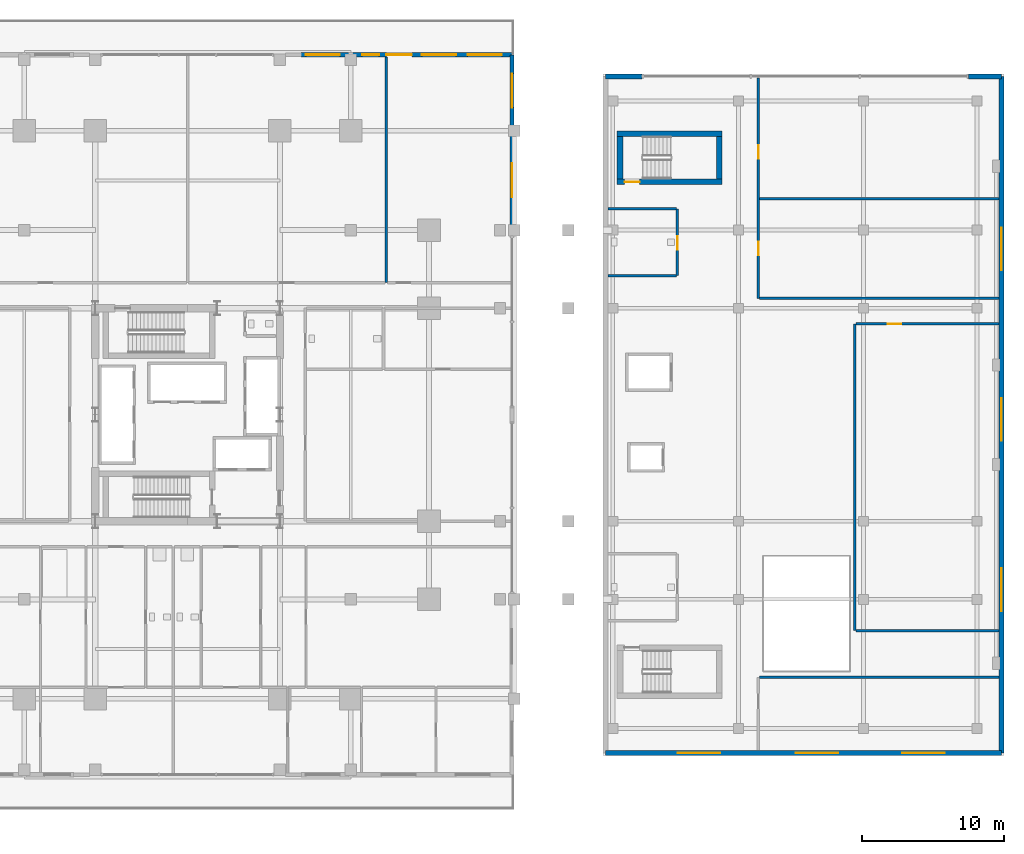
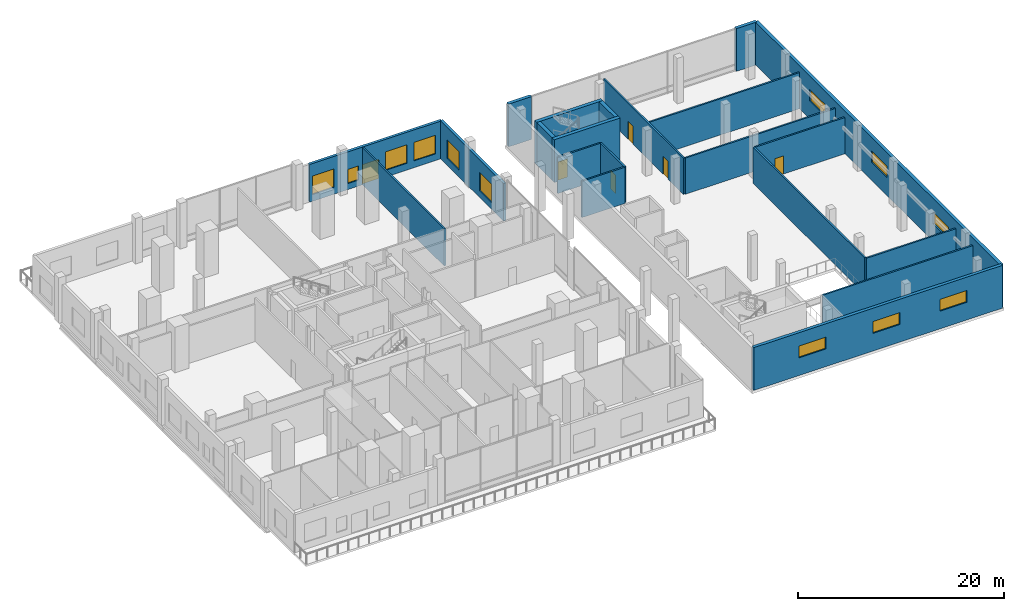
# One storey, part 24 of 32: 21 walls, 12 windows, 6 doors, 18 openings.
"""IFC4 building model written with IfcOpenShell, lengths in metres."""

from ifc_helpers import new_model, si_unit, direction, frame, frame_2d, origin, place, context, subcontext, project, spatial, rectangle, extrude, material, layer, layer_set, type_object, element, fill, save


model = new_model("IFC4")

# Units and contexts
model_context = context("Model", 3, precision=1e-05, world=origin(), true_north=direction((0.0, 1.0)))
body_context = subcontext(model_context, "Body", "Model", "MODEL_VIEW")
ifc_project = project(units=[si_unit("LENGTHUNIT", "METRE"), si_unit("AREAUNIT", "SQUARE_METRE"), si_unit("VOLUMEUNIT", "CUBIC_METRE"), si_unit("PLANEANGLEUNIT", "RADIAN"), si_unit("MASSUNIT", "GRAM", prefix="KILO")], contexts=[model_context])

# Site, building, storey
site_placement = place(None, origin())
site = spatial("IfcSite", under=ifc_project, at=site_placement, CompositionType="ELEMENT")
building_placement = place(site_placement, origin())
building = spatial("IfcBuilding", under=site, at=building_placement, Name="Barlavira Tower and Art Museum", CompositionType="ELEMENT")
storey_placement = place(building_placement, frame((0.0, 0.0, 6.0)))
storey = spatial("IfcBuildingStorey", under=building, at=storey_placement, Name="L01", CompositionType="ELEMENT", Elevation=6.0)

# Wall
ifc_material_1 = material(Name="Gypsum acoustic stud partition", Category="gypsum")
ifc_layer_1 = layer(ifc_material_1, 0.179931640625, Name="Gypsum acoustic stud partition")
ifc_layer_set_1 = layer_set([ifc_layer_1], Name="Gypsum acoustic stud partition")
wall_type_1 = type_object("IfcWallType", Name="Inter-Tenancy Party Partition Wall 180", PredefinedType="PARTITIONING", material=ifc_layer_set_1)
wall_1_placement = place(storey_placement, frame((14.0, 9.300048828125, 0.0), z_axis=(0.0, 0.0, 1.0), x_axis=(0.0, 1.0, 0.0)))
element("IfcWall", 1, at=wall_1_placement, inside=storey, type_object=wall_type_1, Name="L01 Partition Wall 17", PredefinedType="PARTITIONING", context=body_context, shape_type="SweptSolid", body=[
    extrude(rectangle(XDim=15.89501953125, YDim=0.179931640625, at=frame_2d((7.947509765625, 0.0))), origin(), (0.0, 0.0, 1.0), 4.409912109375),
])

# Wall, opening, door
wall_2_placement = place(storey_placement, frame((34.5, 9.800048828125, 0.0), z_axis=(0.0, 0.0, 1.0), x_axis=(0.0, 1.0, 0.0)))
wall_2 = element("IfcWall", 2, at=wall_2_placement, inside=storey, type_object=wall_type_1, Name="L01 Partition Wall 20", PredefinedType="PARTITIONING", context=body_context, shape_type="SweptSolid", body=[
    extrude(rectangle(XDim=4.699951171875, YDim=0.179931640625, at=frame_2d((2.35009765625, 0.0))), origin(), (0.0, 0.0, 1.0), 4.297119140625),
])
opening_1_placement = place(wall_2_placement, frame((1.824951171875, 0.0, 0.0)))
opening_1 = element("IfcOpeningElement", 3, at=opening_1_placement, cuts=wall_2, Name="Opening FD-60", PredefinedType="OPENING", context=body_context, shape_type="SweptSolid", body=[
    extrude(rectangle(XDim=0.949951171875, YDim=2.14990234375, at=frame_2d((0.47509765625, 1.074951171875))), frame((0.0, 0.10009765625, 0.0), z_axis=(0.0, -1.0, 0.0), x_axis=(1.0, 0.0, 0.0)), (0.0, 0.0, 1.0), 0.199951171875),
])
ifc_material_2 = material(Name="Brushed stainless steel", Category="steel")
door_type_1 = type_object("IfcDoorType", Name="Apartment Entrance and Riser Fire Door 950x2150 FD60S", OperationType="NOTDEFINED", PredefinedType="DOOR", material=ifc_material_2)
door_1_placement = place(opening_1_placement, origin())
door_1 = element("IfcDoor", 4, at=door_1_placement, inside=storey, type_object=door_type_1, Name="L01 Museum Visitor Restrooms Door", OperationType="SINGLE_SWING_RIGHT", OverallHeight=2.14990234375, OverallWidth=0.949951171875, PredefinedType="DOOR", context=body_context, shape_type="SweptSolid", body=[
    extrude(rectangle(XDim=0.949951171875, YDim=2.14990234375, at=frame_2d((0.47509765625, 1.074951171875))), frame((0.0, 0.02490234375, 0.0), z_axis=(0.0, -1.0, 0.0), x_axis=(1.0, 0.0, 0.0)), (0.0, 0.0, 1.0), 0.050048828125),
])
fill(opening_1, door_1)

# Wall, openings, doors
wall_3_placement = place(storey_placement, frame((40.199951171875, 8.199951171875, 0.0), z_axis=(0.0, 0.0, 1.0), x_axis=(0.0, 1.0, 0.0)))
wall_3 = element("IfcWall", 5, at=wall_3_placement, inside=storey, type_object=wall_type_1, Name="L01 Partition Wall 22", PredefinedType="PARTITIONING", context=body_context, shape_type="SweptSolid", body=[
    extrude(rectangle(XDim=15.52001953125, YDim=0.179931640625, at=frame_2d((7.760009765625, 0.0))), origin(), (0.0, 0.0, 1.0), 4.297119140625),
])
opening_2_placement = place(wall_3_placement, frame((3.02490234375, 0.0, 0.0)))
opening_2 = element("IfcOpeningElement", 6, at=opening_2_placement, cuts=wall_3, Name="Opening FD-60", PredefinedType="OPENING", context=body_context, shape_type="SweptSolid", body=[
    extrude(rectangle(XDim=0.949951171875, YDim=2.14990234375, at=frame_2d((0.47509765625, 1.074951171875))), frame((0.0, 0.10009765625, 0.0), z_axis=(0.0, -1.0, 0.0), x_axis=(1.0, 0.0, 0.0)), (0.0, 0.0, 1.0), 0.199951171875),
])
opening_3_placement = place(wall_3_placement, frame((9.824951171875, 0.0, 0.0)))
opening_3 = element("IfcOpeningElement", 7, at=opening_3_placement, cuts=wall_3, Name="Opening FD-60", PredefinedType="OPENING", context=body_context, shape_type="SweptSolid", body=[
    extrude(rectangle(XDim=0.949951171875, YDim=2.14990234375, at=frame_2d((0.47509765625, 1.074951171875))), frame((0.0, 0.10009765625, 0.0), z_axis=(0.0, -1.0, 0.0), x_axis=(1.0, 0.0, 0.0)), (0.0, 0.0, 1.0), 0.199951171875),
])
door_2_placement = place(opening_2_placement, origin())
door_2 = element("IfcDoor", 8, at=door_2_placement, inside=storey, type_object=door_type_1, Name="L01 North Coastal Contemporary Art Gallery Door", OperationType="SINGLE_SWING_RIGHT", OverallHeight=2.14990234375, OverallWidth=0.949951171875, PredefinedType="DOOR", context=body_context, shape_type="SweptSolid", body=[
    extrude(rectangle(XDim=0.949951171875, YDim=2.14990234375, at=frame_2d((0.47509765625, 1.074951171875))), frame((0.0, 0.02490234375, 0.0), z_axis=(0.0, -1.0, 0.0), x_axis=(1.0, 0.0, 0.0)), (0.0, 0.0, 1.0), 0.050048828125),
])
fill(opening_2, door_2)
door_3_placement = place(opening_3_placement, origin())
door_3 = element("IfcDoor", 9, at=door_3_placement, inside=storey, type_object=door_type_1, Name="L01 Curatorial Seminar Workshop Door", OperationType="SINGLE_SWING_LEFT", OverallHeight=2.14990234375, OverallWidth=0.949951171875, PredefinedType="DOOR", context=body_context, shape_type="SweptSolid", body=[
    extrude(rectangle(XDim=0.949951171875, YDim=2.14990234375, at=frame_2d((0.47509765625, 1.074951171875))), frame((0.0, 0.02490234375, 0.0), z_axis=(0.0, -1.0, 0.0), x_axis=(1.0, 0.0, 0.0)), (0.0, 0.0, 1.0), 0.050048828125),
])
fill(opening_3, door_3)

# Walls
wall_4_placement = place(storey_placement, frame((47.0, -15.199951171875, 0.0), z_axis=(0.0, 0.0, 1.0), x_axis=(0.0, 1.0, 0.0)))
element("IfcWall", 10, at=wall_4_placement, inside=storey, type_object=wall_type_1, Name="L01 Partition Wall 23", PredefinedType="PARTITIONING", context=body_context, shape_type="SweptSolid", body=[
    extrude(rectangle(XDim=21.599853515625, YDim=0.179931640625, at=frame_2d((10.7998046875, 0.0))), origin(), (0.0, 0.0, 1.0), 4.297119140625),
])
wall_5_placement = place(storey_placement, frame((40.280029296875, -18.5, 0.0), z_axis=(0.0, 0.0, 1.0), x_axis=(1.0, 0.0, 0.0)))
element("IfcWall", 11, at=wall_5_placement, inside=storey, type_object=wall_type_1, Name="L01 Partition Wall 37", PredefinedType="PARTITIONING", context=body_context, shape_type="SweptSolid", body=[
    extrude(rectangle(XDim=16.864990234375, YDim=0.179931640625, at=frame_2d((8.4326171875, 0.0))), origin(), (0.0, 0.0, 1.0), 4.214111328125),
])
wall_6_placement = place(storey_placement, frame((47.080078125, -15.199951171875, 0.0), z_axis=(0.0, 0.0, 1.0), x_axis=(1.0, 0.0, 0.0)))
element("IfcWall", 12, at=wall_6_placement, inside=storey, type_object=wall_type_1, Name="L01 Partition Wall 38", PredefinedType="PARTITIONING", context=body_context, shape_type="SweptSolid", body=[
    extrude(rectangle(XDim=10.06494140625, YDim=0.179931640625, at=frame_2d((5.032470703125, 0.0))), origin(), (0.0, 0.0, 1.0), 4.214111328125),
])

# Wall, opening, door
wall_7_placement = place(storey_placement, frame((47.080078125, 6.39990234375, 0.0), z_axis=(0.0, 0.0, 1.0), x_axis=(1.0, 0.0, 0.0)))
wall_7 = element("IfcWall", 13, at=wall_7_placement, inside=storey, type_object=wall_type_1, Name="L01 Partition Wall 54", PredefinedType="PARTITIONING", context=body_context, shape_type="SweptSolid", body=[
    extrude(rectangle(XDim=10.06494140625, YDim=0.179931640625, at=frame_2d((5.032470703125, 0.0))), origin(), (0.0, 0.0, 1.0), 4.297119140625),
])
opening_4_placement = place(wall_7_placement, frame((2.2451171875, 0.0, 0.0)))
opening_4 = element("IfcOpeningElement", 14, at=opening_4_placement, cuts=wall_7, Name="Opening FD-60", PredefinedType="OPENING", context=body_context, shape_type="SweptSolid", body=[
    extrude(rectangle(XDim=0.949951171875, YDim=2.14990234375, at=frame_2d((0.47509765625, 1.074951171875))), frame((0.0, 0.10009765625, 0.0), z_axis=(0.0, -1.0, 0.0), x_axis=(1.0, 0.0, 0.0)), (0.0, 0.0, 1.0), 0.199951171875),
])
door_4_placement = place(opening_4_placement, origin())
door_4 = element("IfcDoor", 15, at=door_4_placement, inside=storey, type_object=door_type_1, Name="L01 East Oceanfront Painting Gallery Door", OperationType="SINGLE_SWING_RIGHT", OverallHeight=2.14990234375, OverallWidth=0.949951171875, PredefinedType="DOOR", context=body_context, shape_type="SweptSolid", body=[
    extrude(rectangle(XDim=0.949951171875, YDim=2.14990234375, at=frame_2d((0.47509765625, 1.074951171875))), frame((0.0, 0.02490234375, 0.0), z_axis=(0.0, -1.0, 0.0), x_axis=(1.0, 0.0, 0.0)), (0.0, 0.0, 1.0), 0.050048828125),
])
fill(opening_4, door_4)

# Walls
wall_8_placement = place(storey_placement, frame((40.280029296875, 8.199951171875, 0.0), z_axis=(0.0, 0.0, 1.0), x_axis=(1.0, 0.0, 0.0)))
element("IfcWall", 16, at=wall_8_placement, inside=storey, type_object=wall_type_1, Name="L01 Partition Wall 59", PredefinedType="PARTITIONING", context=body_context, shape_type="SweptSolid", body=[
    extrude(rectangle(XDim=16.864990234375, YDim=0.179931640625, at=frame_2d((8.4326171875, 0.0))), origin(), (0.0, 0.0, 1.0), 4.297119140625),
])
for number, where, z_axis, x_axis, name in (
    (17, (29.60498046875, 9.800048828125, 0.0), (0.0, 0.0, 1.0), (1.0, 0.0, 0.0), "L01 Partition Wall 63"),
    (18, (29.60498046875, 14.5, 0.0), (0.0, 0.0, 1.0), (1.0, 0.0, 0.0), "L01 Partition Wall 64"),
):
    element("IfcWall", number, at=place(storey_placement, frame(where, z_axis=z_axis, x_axis=x_axis)), inside=storey, type_object=wall_type_1, Name=name, PredefinedType="PARTITIONING", context=body_context, shape_type="SweptSolid", body=[
        extrude(rectangle(XDim=4.81494140625, YDim=0.179931640625, at=frame_2d((2.407470703125, 0.0))), origin(), (0.0, 0.0, 1.0), 4.297119140625),
    ])
wall_9_placement = place(storey_placement, frame((40.280029296875, 15.199951171875, 0.0), z_axis=(0.0, 0.0, 1.0), x_axis=(1.0, 0.0, 0.0)))
element("IfcWall", 19, at=wall_9_placement, inside=storey, type_object=wall_type_1, Name="L01 Partition Wall 65", PredefinedType="PARTITIONING", context=body_context, shape_type="SweptSolid", body=[
    extrude(rectangle(XDim=16.864990234375, YDim=0.179931640625, at=frame_2d((8.4326171875, 0.0))), origin(), (0.0, 0.0, 1.0), 4.297119140625),
])

# Wall, openings, windows
ifc_material_3 = material(Name="Precast concrete C40", Category="concrete")
ifc_layer_2 = layer(ifc_material_3, 0.35009765625, Name="Precast concrete C40")
ifc_layer_set_2 = layer_set([ifc_layer_2], Name="Precast concrete C40")
wall_type_2 = type_object("IfcWallType", Name="Museum Board-Formed Concrete Facade Wall 350 Concrete C40", PredefinedType="SOLIDWALL", material=ifc_layer_set_2)
wall_10_placement = place(storey_placement, frame((57.324951171875, -23.824951171875, 0.0), z_axis=(0.0, 0.0, 1.0), x_axis=(-1.0, 0.0, 0.0)))
wall_10 = element("IfcWall", 20, at=wall_10_placement, inside=storey, type_object=wall_type_2, Name="L01 Museum South Facade Wall", PredefinedType="SOLIDWALL", context=body_context, shape_type="SweptSolid", body=[
    extrude(rectangle(XDim=27.89990234375, YDim=0.35009765625, at=frame_2d((13.949951171875, 0.0))), origin(), (0.0, 0.0, 1.0), 5.080078125),
])
opening_5_placement = place(wall_10_placement, frame((4.0, 0.0, 2.10009765625)))
opening_5 = element("IfcOpeningElement", 21, at=opening_5_placement, cuts=wall_10, Name="Opening WN-03", PredefinedType="OPENING", context=body_context, shape_type="SweptSolid", body=[
    extrude(rectangle(XDim=3.0, YDim=1.39990234375, at=frame_2d((1.5, 0.699951171875))), frame((0.0, 0.18505859375, 0.0), z_axis=(0.0, -1.0, 0.0), x_axis=(1.0, 0.0, 0.0)), (0.0, 0.0, 1.0), 0.3701171875),
])
opening_6_placement = place(wall_10_placement, frame((11.5, 0.0, 2.10009765625)))
opening_6 = element("IfcOpeningElement", 22, at=opening_6_placement, cuts=wall_10, Name="Opening WN-03", PredefinedType="OPENING", context=body_context, shape_type="SweptSolid", body=[
    extrude(rectangle(XDim=3.0, YDim=1.39990234375, at=frame_2d((1.5, 0.699951171875))), frame((0.0, 0.18505859375, 0.0), z_axis=(0.0, -1.0, 0.0), x_axis=(1.0, 0.0, 0.0)), (0.0, 0.0, 1.0), 0.3701171875),
])
opening_7_placement = place(wall_10_placement, frame((19.800048828125, 0.0, 2.10009765625)))
opening_7 = element("IfcOpeningElement", 23, at=opening_7_placement, cuts=wall_10, Name="Opening WN-03", PredefinedType="OPENING", context=body_context, shape_type="SweptSolid", body=[
    extrude(rectangle(XDim=3.0, YDim=1.39990234375, at=frame_2d((1.5, 0.699951171875))), frame((0.0, 0.18505859375, 0.0), z_axis=(0.0, -1.0, 0.0), x_axis=(1.0, 0.0, 0.0)), (0.0, 0.0, 1.0), 0.3701171875),
])
ifc_material_4 = material(Name="Low-iron coastal laminated glass", Category="glass")
window_type_1 = type_object("IfcWindowType", Name="Museum Controlled-Daylight Clerestory Window 3000x1400", PartitioningType="SINGLE_PANEL", PredefinedType="WINDOW", material=ifc_material_4)
window_1_placement = place(opening_5_placement, origin())
window_1 = element("IfcWindow", 24, at=window_1_placement, inside=storey, type_object=window_type_1, Name="L01 Museum Clerestory Window S1", OverallHeight=1.39990234375, OverallWidth=3.0, PartitioningType="SINGLE_PANEL", PredefinedType="WINDOW", context=body_context, shape_type="SweptSolid", body=[
    extrude(rectangle(XDim=3.0, YDim=1.39990234375, at=frame_2d((1.5, 0.699951171875))), frame((0.0, 0.030029296875, 0.0), z_axis=(0.0, -1.0, 0.0), x_axis=(1.0, 0.0, 0.0)), (0.0, 0.0, 1.0), 0.06005859375),
])
fill(opening_5, window_1)
window_2_placement = place(opening_6_placement, origin())
window_2 = element("IfcWindow", 25, at=window_2_placement, inside=storey, type_object=window_type_1, Name="L01 Museum Clerestory Window S2", OverallHeight=1.39990234375, OverallWidth=3.0, PartitioningType="SINGLE_PANEL", PredefinedType="WINDOW", context=body_context, shape_type="SweptSolid", body=[
    extrude(rectangle(XDim=3.0, YDim=1.39990234375, at=frame_2d((1.5, 0.699951171875))), frame((0.0, 0.030029296875, 0.0), z_axis=(0.0, -1.0, 0.0), x_axis=(1.0, 0.0, 0.0)), (0.0, 0.0, 1.0), 0.06005859375),
])
fill(opening_6, window_2)
window_3_placement = place(opening_7_placement, origin())
window_3 = element("IfcWindow", 26, at=window_3_placement, inside=storey, type_object=window_type_1, Name="L01 Museum Clerestory Window S3", OverallHeight=1.39990234375, OverallWidth=3.0, PartitioningType="SINGLE_PANEL", PredefinedType="WINDOW", context=body_context, shape_type="SweptSolid", body=[
    extrude(rectangle(XDim=3.0, YDim=1.39990234375, at=frame_2d((1.5, 0.699951171875))), frame((0.0, 0.030029296875, 0.0), z_axis=(0.0, -1.0, 0.0), x_axis=(1.0, 0.0, 0.0)), (0.0, 0.0, 1.0), 0.06005859375),
])
fill(opening_7, window_3)

wall_11_placement = place(storey_placement, frame((57.324951171875, -23.824951171875, 0.0), z_axis=(0.0, 0.0, 1.0), x_axis=(0.0, 1.0, 0.0)))
wall_11 = element("IfcWall", 27, at=wall_11_placement, inside=storey, type_object=wall_type_2, Name="L01 Museum East Coastal Facade Wall", PredefinedType="SOLIDWALL", context=body_context, shape_type="SweptSolid", body=[
    extrude(rectangle(XDim=47.64990234375, YDim=0.35009765625, at=frame_2d((23.824951171875, 0.0))), origin(), (0.0, 0.0, 1.0), 5.080078125),
])
opening_8_placement = place(wall_11_placement, frame((10.0, 0.0, 2.10009765625)))
opening_8 = element("IfcOpeningElement", 28, at=opening_8_placement, cuts=wall_11, Name="Opening WN-03", PredefinedType="OPENING", context=body_context, shape_type="SweptSolid", body=[
    extrude(rectangle(XDim=3.0, YDim=1.39990234375, at=frame_2d((1.5, 0.699951171875))), frame((0.0, 0.18505859375, 0.0), z_axis=(0.0, -1.0, 0.0), x_axis=(1.0, 0.0, 0.0)), (0.0, 0.0, 1.0), 0.3701171875),
])
opening_9_placement = place(wall_11_placement, frame((22.0, 0.0, 2.10009765625)))
opening_9 = element("IfcOpeningElement", 29, at=opening_9_placement, cuts=wall_11, Name="Opening WN-03", PredefinedType="OPENING", context=body_context, shape_type="SweptSolid", body=[
    extrude(rectangle(XDim=3.0, YDim=1.39990234375, at=frame_2d((1.5, 0.699951171875))), frame((0.0, 0.18505859375, 0.0), z_axis=(0.0, -1.0, 0.0), x_axis=(1.0, 0.0, 0.0)), (0.0, 0.0, 1.0), 0.3701171875),
])
opening_10_placement = place(wall_11_placement, frame((34.0, 0.0, 2.10009765625)))
opening_10 = element("IfcOpeningElement", 30, at=opening_10_placement, cuts=wall_11, Name="Opening WN-03", PredefinedType="OPENING", context=body_context, shape_type="SweptSolid", body=[
    extrude(rectangle(XDim=3.0, YDim=1.39990234375, at=frame_2d((1.5, 0.699951171875))), frame((0.0, 0.18505859375, 0.0), z_axis=(0.0, -1.0, 0.0), x_axis=(1.0, 0.0, 0.0)), (0.0, 0.0, 1.0), 0.3701171875),
])
window_4_placement = place(opening_8_placement, origin())
window_4 = element("IfcWindow", 31, at=window_4_placement, inside=storey, type_object=window_type_1, Name="L01 Museum Coastal Clerestory Window E1", OverallHeight=1.39990234375, OverallWidth=3.0, PartitioningType="SINGLE_PANEL", PredefinedType="WINDOW", context=body_context, shape_type="SweptSolid", body=[
    extrude(rectangle(XDim=3.0, YDim=1.39990234375, at=frame_2d((1.5, 0.699951171875))), frame((0.0, 0.030029296875, 0.0), z_axis=(0.0, -1.0, 0.0), x_axis=(1.0, 0.0, 0.0)), (0.0, 0.0, 1.0), 0.06005859375),
])
fill(opening_8, window_4)
window_5_placement = place(opening_9_placement, origin())
window_5 = element("IfcWindow", 32, at=window_5_placement, inside=storey, type_object=window_type_1, Name="L01 Museum Coastal Clerestory Window E2", OverallHeight=1.39990234375, OverallWidth=3.0, PartitioningType="SINGLE_PANEL", PredefinedType="WINDOW", context=body_context, shape_type="SweptSolid", body=[
    extrude(rectangle(XDim=3.0, YDim=1.39990234375, at=frame_2d((1.5, 0.699951171875))), frame((0.0, 0.030029296875, 0.0), z_axis=(0.0, -1.0, 0.0), x_axis=(1.0, 0.0, 0.0)), (0.0, 0.0, 1.0), 0.06005859375),
])
fill(opening_9, window_5)
window_6_placement = place(opening_10_placement, origin())
window_6 = element("IfcWindow", 33, at=window_6_placement, inside=storey, type_object=window_type_1, Name="L01 Museum Coastal Clerestory Window E3", OverallHeight=1.39990234375, OverallWidth=3.0, PartitioningType="SINGLE_PANEL", PredefinedType="WINDOW", context=body_context, shape_type="SweptSolid", body=[
    extrude(rectangle(XDim=3.0, YDim=1.39990234375, at=frame_2d((1.5, 0.699951171875))), frame((0.0, 0.030029296875, 0.0), z_axis=(0.0, -1.0, 0.0), x_axis=(1.0, 0.0, 0.0)), (0.0, 0.0, 1.0), 0.06005859375),
])
fill(opening_10, window_6)

# Walls
wall_12_placement = place(storey_placement, frame((57.324951171875, 23.824951171875, 0.0), z_axis=(0.0, 0.0, 1.0), x_axis=(-1.0, 0.0, 0.0)))
element("IfcWall", 34, at=wall_12_placement, inside=storey, type_object=wall_type_2, Name="L01 Museum North-East Pier Wall", PredefinedType="SOLIDWALL", context=body_context, shape_type="SweptSolid", body=[
    extrude(rectangle(XDim=2.324951171875, YDim=0.35009765625, at=frame_2d((1.16259765625, 0.0))), origin(), (0.0, 0.0, 1.0), 5.080078125),
])
wall_13_placement = place(storey_placement, frame((29.425048828125, 23.824951171875, 0.0), z_axis=(0.0, 0.0, 1.0), x_axis=(1.0, 0.0, 0.0)))
element("IfcWall", 35, at=wall_13_placement, inside=storey, type_object=wall_type_2, Name="L01 Museum North-West Pier Wall", PredefinedType="SOLIDWALL", context=body_context, shape_type="SweptSolid", body=[
    extrude(rectangle(XDim=2.574951171875, YDim=0.35009765625, at=frame_2d((1.28759765625, 0.0))), origin(), (0.0, 0.0, 1.0), 5.080078125),
])

# Wall, openings, windows
ifc_layer_3 = layer(ifc_material_3, 0.300048828125, Name="Precast concrete C40")
ifc_layer_set_3 = layer_set([ifc_layer_3], Name="Precast concrete C40")
wall_type_3 = type_object("IfcWallType", Name="Podium Architectural Precast Facade Wall 300 Concrete C40", PredefinedType="SOLIDWALL", material=ifc_layer_set_3)
wall_14_placement = place(storey_placement, frame((22.85009765625, 13.0, 0.0), z_axis=(0.0, 0.0, 1.0), x_axis=(0.0, 1.0, 0.0)))
wall_14 = element("IfcWall", 36, at=wall_14_placement, inside=storey, type_object=wall_type_3, Name="L01 Podium East-North Wall", PredefinedType="SOLIDWALL", context=body_context, shape_type="SweptSolid", body=[
    extrude(rectangle(XDim=12.35009765625, YDim=0.300048828125, at=frame_2d((6.175048828125, 0.0))), origin(), (0.0, 0.0, 1.0), 4.47607421875),
])
opening_11_placement = place(wall_14_placement, frame((2.300048828125, 0.0, 0.800048828125)))
opening_11 = element("IfcOpeningElement", 37, at=opening_11_placement, cuts=wall_14, Name="Opening WN-02", PredefinedType="OPENING", context=body_context, shape_type="SweptSolid", body=[
    extrude(rectangle(XDim=2.39990234375, YDim=2.199951171875, at=frame_2d((1.199951171875, 1.10009765625))), frame((0.0, 0.16015625, 0.0), z_axis=(0.0, -1.0, 0.0), x_axis=(1.0, 0.0, 0.0)), (0.0, 0.0, 1.0), 0.320068359375),
])
opening_12_placement = place(wall_14_placement, frame((8.6201171875, 0.0, 0.800048828125)))
opening_12 = element("IfcOpeningElement", 38, at=opening_12_placement, cuts=wall_14, Name="Opening WN-02", PredefinedType="OPENING", context=body_context, shape_type="SweptSolid", body=[
    extrude(rectangle(XDim=2.39990234375, YDim=2.199951171875, at=frame_2d((1.199951171875, 1.10009765625))), frame((0.0, 0.16015625, 0.0), z_axis=(0.0, -1.0, 0.0), x_axis=(1.0, 0.0, 0.0)), (0.0, 0.0, 1.0), 0.320068359375),
])
window_type_2 = type_object("IfcWindowType", Name="Podium Garden Gallery Window 2400x2200", PartitioningType="SINGLE_PANEL", PredefinedType="WINDOW", material=ifc_material_4)
window_7_placement = place(opening_11_placement, origin())
window_7 = element("IfcWindow", 39, at=window_7_placement, inside=storey, type_object=window_type_2, Name="L01 Punched Facade Window EW-L01-EN-1", OverallHeight=2.199951171875, OverallWidth=2.39990234375, PartitioningType="SINGLE_PANEL", PredefinedType="WINDOW", context=body_context, shape_type="SweptSolid", body=[
    extrude(rectangle(XDim=2.39990234375, YDim=2.199951171875, at=frame_2d((1.199951171875, 1.10009765625))), frame((0.0, 0.030029296875, 0.0), z_axis=(0.0, -1.0, 0.0), x_axis=(1.0, 0.0, 0.0)), (0.0, 0.0, 1.0), 0.06005859375),
])
fill(opening_11, window_7)
window_8_placement = place(opening_12_placement, origin())
window_8 = element("IfcWindow", 40, at=window_8_placement, inside=storey, type_object=window_type_2, Name="L01 Punched Facade Window EW-L01-EN-2", OverallHeight=2.199951171875, OverallWidth=2.39990234375, PartitioningType="SINGLE_PANEL", PredefinedType="WINDOW", context=body_context, shape_type="SweptSolid", body=[
    extrude(rectangle(XDim=2.39990234375, YDim=2.199951171875, at=frame_2d((1.199951171875, 1.10009765625))), frame((0.0, 0.030029296875, 0.0), z_axis=(0.0, -1.0, 0.0), x_axis=(1.0, 0.0, 0.0)), (0.0, 0.0, 1.0), 0.06005859375),
])
fill(opening_12, window_8)

# Wall, openings, windows, door
wall_15_placement = place(storey_placement, frame((8.0, 25.35009765625, 0.0), z_axis=(0.0, 0.0, 1.0), x_axis=(1.0, 0.0, 0.0)))
wall_15 = element("IfcWall", 41, at=wall_15_placement, inside=storey, type_object=wall_type_3, Name="L01 Podium North-East Wall", PredefinedType="SOLIDWALL", context=body_context, shape_type="SweptSolid", body=[
    extrude(rectangle(XDim=14.85009765625, YDim=0.300048828125, at=frame_2d((7.425048828125, 0.0))), origin(), (0.0, 0.0, 1.0), 4.47607421875),
])
opening_13_placement = place(wall_15_placement, frame((6.0, 0.0, 0.0)))
opening_13 = element("IfcOpeningElement", 42, at=opening_13_placement, cuts=wall_15, Name="Opening ED-03", PredefinedType="OPENING", context=body_context, shape_type="SweptSolid", body=[
    extrude(rectangle(XDim=1.800048828125, YDim=2.300048828125, at=frame_2d((0.89990234375, 1.14990234375))), frame((0.0, 0.16015625, 0.0), z_axis=(0.0, -1.0, 0.0), x_axis=(1.0, 0.0, 0.0)), (0.0, 0.0, 1.0), 0.320068359375),
])
opening_14_placement = place(wall_15_placement, frame((0.330078125, 0.0, 0.800048828125)))
opening_14 = element("IfcOpeningElement", 43, at=opening_14_placement, cuts=wall_15, Name="Opening WN-02", PredefinedType="OPENING", context=body_context, shape_type="SweptSolid", body=[
    extrude(rectangle(XDim=2.39990234375, YDim=2.199951171875, at=frame_2d((1.199951171875, 1.10009765625))), frame((0.0, 0.16015625, 0.0), z_axis=(0.0, -1.0, 0.0), x_axis=(1.0, 0.0, 0.0)), (0.0, 0.0, 1.0), 0.320068359375),
])
opening_15_placement = place(wall_15_placement, frame((4.300048828125, 0.0, 0.719970703125)))
opening_15 = element("IfcOpeningElement", 44, at=opening_15_placement, cuts=wall_15, Name="Opening WN-05", PredefinedType="OPENING", context=body_context, shape_type="SweptSolid", body=[
    extrude(rectangle(XDim=1.199951171875, YDim=1.679931640625, at=frame_2d((0.60009765625, 0.83984375))), frame((0.0, 0.16015625, 0.0), z_axis=(0.0, -1.0, 0.0), x_axis=(1.0, 0.0, 0.0)), (0.0, 0.0, 1.0), 0.320068359375),
])
opening_16_placement = place(wall_15_placement, frame((8.510009765625, 0.0, 0.800048828125)))
opening_16 = element("IfcOpeningElement", 45, at=opening_16_placement, cuts=wall_15, Name="Opening WN-02", PredefinedType="OPENING", context=body_context, shape_type="SweptSolid", body=[
    extrude(rectangle(XDim=2.39990234375, YDim=2.199951171875, at=frame_2d((1.199951171875, 1.10009765625))), frame((0.0, 0.16015625, 0.0), z_axis=(0.0, -1.0, 0.0), x_axis=(1.0, 0.0, 0.0)), (0.0, 0.0, 1.0), 0.320068359375),
])
opening_17_placement = place(wall_15_placement, frame((11.72998046875, 0.0, 0.800048828125)))
opening_17 = element("IfcOpeningElement", 46, at=opening_17_placement, cuts=wall_15, Name="Opening WN-02", PredefinedType="OPENING", context=body_context, shape_type="SweptSolid", body=[
    extrude(rectangle(XDim=2.39990234375, YDim=2.199951171875, at=frame_2d((1.199951171875, 1.10009765625))), frame((0.0, 0.16015625, 0.0), z_axis=(0.0, -1.0, 0.0), x_axis=(1.0, 0.0, 0.0)), (0.0, 0.0, 1.0), 0.320068359375),
])
window_9_placement = place(opening_14_placement, origin())
window_9 = element("IfcWindow", 47, at=window_9_placement, inside=storey, type_object=window_type_2, Name="L01 Punched Facade Window EW-L01-NE-1", OverallHeight=2.199951171875, OverallWidth=2.39990234375, PartitioningType="SINGLE_PANEL", PredefinedType="WINDOW", context=body_context, shape_type="SweptSolid", body=[
    extrude(rectangle(XDim=2.39990234375, YDim=2.199951171875, at=frame_2d((1.199951171875, 1.10009765625))), frame((0.0, 0.030029296875, 0.0), z_axis=(0.0, -1.0, 0.0), x_axis=(1.0, 0.0, 0.0)), (0.0, 0.0, 1.0), 0.06005859375),
])
fill(opening_14, window_9)
window_10_placement = place(opening_16_placement, origin())
window_10 = element("IfcWindow", 48, at=window_10_placement, inside=storey, type_object=window_type_2, Name="L01 Punched Facade Window EW-L01-NE-3", OverallHeight=2.199951171875, OverallWidth=2.39990234375, PartitioningType="SINGLE_PANEL", PredefinedType="WINDOW", context=body_context, shape_type="SweptSolid", body=[
    extrude(rectangle(XDim=2.39990234375, YDim=2.199951171875, at=frame_2d((1.199951171875, 1.10009765625))), frame((0.0, 0.030029296875, 0.0), z_axis=(0.0, -1.0, 0.0), x_axis=(1.0, 0.0, 0.0)), (0.0, 0.0, 1.0), 0.06005859375),
])
fill(opening_16, window_10)
window_11_placement = place(opening_17_placement, origin())
window_11 = element("IfcWindow", 49, at=window_11_placement, inside=storey, type_object=window_type_2, Name="L01 Punched Facade Window EW-L01-NE-4", OverallHeight=2.199951171875, OverallWidth=2.39990234375, PartitioningType="SINGLE_PANEL", PredefinedType="WINDOW", context=body_context, shape_type="SweptSolid", body=[
    extrude(rectangle(XDim=2.39990234375, YDim=2.199951171875, at=frame_2d((1.199951171875, 1.10009765625))), frame((0.0, 0.030029296875, 0.0), z_axis=(0.0, -1.0, 0.0), x_axis=(1.0, 0.0, 0.0)), (0.0, 0.0, 1.0), 0.06005859375),
])
fill(opening_17, window_11)
window_type_3 = type_object("IfcWindowType", Name="Recessed Flank Pier Punch Window 1200x1680", PartitioningType="SINGLE_PANEL", PredefinedType="WINDOW", material=ifc_material_4)
window_12_placement = place(opening_15_placement, origin())
window_12 = element("IfcWindow", 50, at=window_12_placement, inside=storey, type_object=window_type_3, Name="L01 Punched Facade Window EW-L01-NE-2", OverallHeight=1.679931640625, OverallWidth=1.199951171875, PartitioningType="SINGLE_PANEL", PredefinedType="WINDOW", context=body_context, shape_type="SweptSolid", body=[
    extrude(rectangle(XDim=1.199951171875, YDim=1.679931640625, at=frame_2d((0.60009765625, 0.83984375))), frame((0.0, 0.030029296875, 0.0), z_axis=(0.0, -1.0, 0.0), x_axis=(1.0, 0.0, 0.0)), (0.0, 0.0, 1.0), 0.06005859375),
])
fill(opening_15, window_12)
ifc_material_5 = material(Name="Pale anodised aluminium", Category="aluminium")
door_type_2 = type_object("IfcDoorType", Name="Terrace and Observation Deck Glazed Door 1800x2300", OperationType="NOTDEFINED", PredefinedType="DOOR", material=ifc_material_5)
door_5_placement = place(opening_13_placement, origin())
door_5 = element("IfcDoor", 51, at=door_5_placement, inside=storey, type_object=door_type_2, Name="L01 North Cascade Terrace Access Door", OperationType="DOUBLE_DOOR_SINGLE_SWING", OverallHeight=2.300048828125, OverallWidth=1.800048828125, PredefinedType="DOOR", context=body_context, shape_type="SweptSolid", body=[
    extrude(rectangle(XDim=1.800048828125, YDim=2.300048828125, at=frame_2d((0.89990234375, 1.14990234375))), frame((0.0, 0.02490234375, 0.0), z_axis=(0.0, -1.0, 0.0), x_axis=(1.0, 0.0, 0.0)), (0.0, 0.0, 1.0), 0.050048828125),
])
fill(opening_13, door_5)

# Walls
ifc_material_6 = material(Name="Concrete C55", Category="concrete")
ifc_layer_4 = layer(ifc_material_6, 0.39990234375, Name="Concrete C55")
ifc_layer_set_4 = layer_set([ifc_layer_4], Name="Concrete C55")
wall_type_4 = type_object("IfcWallType", Name="Upper Core Shear Wall 400 Concrete C55", PredefinedType="SHEAR", material=ifc_layer_set_4)
wall_16_placement = place(storey_placement, frame((30.25, 19.800048828125, 0.0), z_axis=(0.0, 0.0, 1.0), x_axis=(1.0, 0.0, 0.0)))
element("IfcWall", 52, at=wall_16_placement, inside=storey, type_object=wall_type_4, Name="L01 ST-M2 North Shaft Wall", PredefinedType="SHEAR", context=body_context, shape_type="SweptSolid", body=[
    extrude(rectangle(XDim=7.39990234375, YDim=0.39990234375, at=frame_2d((3.699951171875, 0.0))), origin(), (0.0, 0.0, 1.0), 5.080078125),
])
for number, where, z_axis, x_axis, name in (
    (53, (37.449951171875, 16.60009765625, 0.0), (0.0, 0.0, 1.0), (0.0, 1.0, 0.0), "L01 ST-M2 East Half-Landing Wall"),
    (54, (30.449951171875, 16.60009765625, 0.0), (0.0, 0.0, 1.0), (0.0, 1.0, 0.0), "L01 ST-M2 West Shaft Wall"),
):
    element("IfcWall", number, at=place(storey_placement, frame(where, z_axis=z_axis, x_axis=x_axis)), inside=storey, type_object=wall_type_4, Name=name, PredefinedType="SHEAR", context=body_context, shape_type="SweptSolid", body=[
        extrude(rectangle(XDim=3.0, YDim=0.39990234375, at=frame_2d((1.5, 0.0))), origin(), (0.0, 0.0, 1.0), 5.080078125),
    ])

# Wall, opening, door
wall_17_placement = place(storey_placement, frame((37.64990234375, 16.39990234375, 0.0), z_axis=(0.0, 0.0, 1.0), x_axis=(-1.0, 0.0, 0.0)))
wall_17 = element("IfcWall", 55, at=wall_17_placement, inside=storey, type_object=wall_type_4, Name="L01 ST-M2 South Landing Wall", PredefinedType="SHEAR", context=body_context, shape_type="SweptSolid", body=[
    extrude(rectangle(XDim=7.39990234375, YDim=0.39990234375, at=frame_2d((3.699951171875, 0.0))), origin(), (0.0, 0.0, 1.0), 5.080078125),
])
opening_18_placement = place(wall_17_placement, frame((5.820068359375, 0.0, 0.0)))
opening_18 = element("IfcOpeningElement", 56, at=opening_18_placement, cuts=wall_17, Name="Opening FD-90", PredefinedType="OPENING", context=body_context, shape_type="SweptSolid", body=[
    extrude(rectangle(XDim=1.050048828125, YDim=2.14990234375, at=frame_2d((0.52490234375, 1.074951171875))), frame((0.0, 0.2099609375, 0.0), z_axis=(0.0, -1.0, 0.0), x_axis=(1.0, 0.0, 0.0)), (0.0, 0.0, 1.0), 0.419921875),
])
door_type_3 = type_object("IfcDoorType", Name="Stair and Refuge Fire Door 1050x2150 FD90S", OperationType="NOTDEFINED", PredefinedType="DOOR", material=ifc_material_2)
door_6_placement = place(opening_18_placement, origin())
door_6 = element("IfcDoor", 57, at=door_6_placement, inside=storey, type_object=door_type_3, Name="L01 Museum North Stair ST-M2 Fire Door", OperationType="SINGLE_SWING_RIGHT", OverallHeight=2.14990234375, OverallWidth=1.050048828125, PredefinedType="DOOR", context=body_context, shape_type="SweptSolid", body=[
    extrude(rectangle(XDim=1.050048828125, YDim=2.14990234375, at=frame_2d((0.52490234375, 1.074951171875))), frame((0.0, 0.02490234375, 0.0), z_axis=(0.0, -1.0, 0.0), x_axis=(1.0, 0.0, 0.0)), (0.0, 0.0, 1.0), 0.050048828125),
])
fill(opening_18, door_6)

save(model, "model.ifc")
